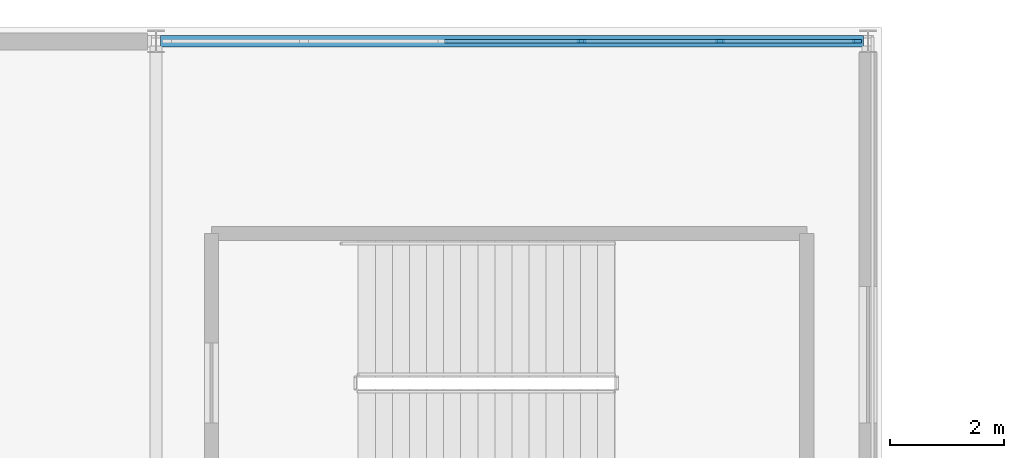
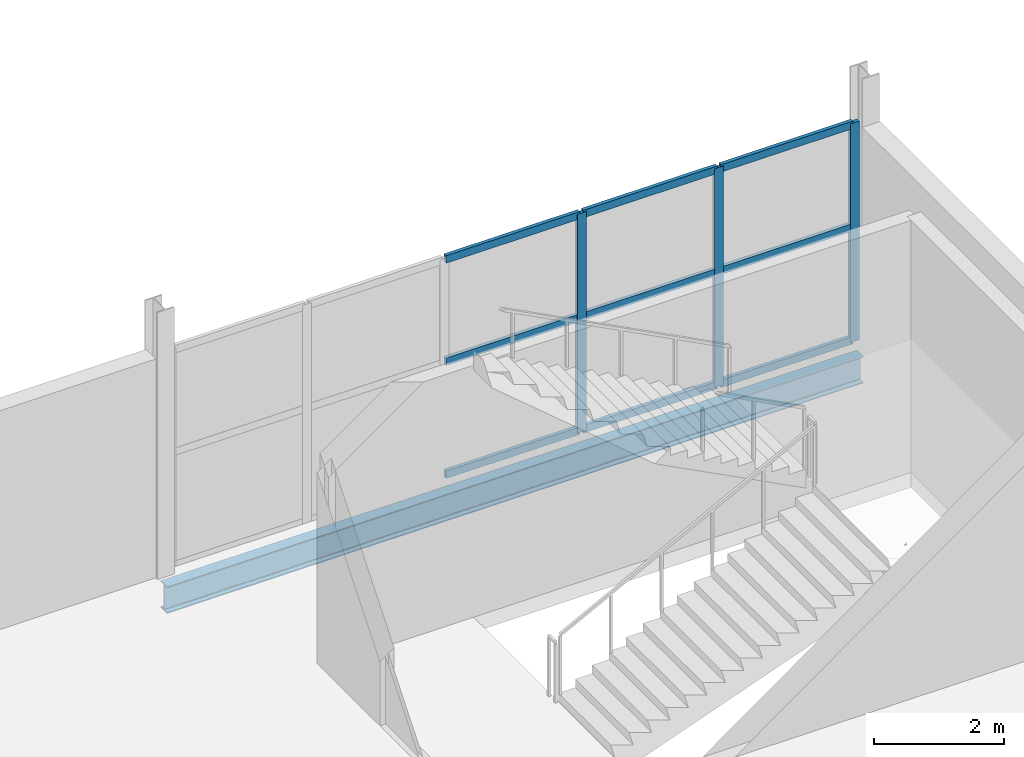
# One storey, part 89 of 179: 12 members, 1 beam, 1 element without a shape of its own.
"""IFC4 building model written with IfcOpenShell, lengths in metres."""

import ifcopenshell
import ifcopenshell.guid

model = None  # the IFC model being written
_history = None  # IfcOwnerHistory: only IFC2X3 demands one
_inside = {}  # id of a spatial element -> (the spatial element, [elements in it])
_under = {}  # id of a project, library or spatial element -> (it, [spatial elements below it])
_declared = {}  # id of a project -> (the project, [libraries it declares])
_typed = {}  # id of a type object -> (the type object, [elements of that type])
_made_of = {}  # id of a material, layer set ... -> (it, [elements and type objects made of it])


def new_model(schema):
    """Start an empty IFC model of exactly this schema.

    Asked for "IFC4X3", IfcOpenShell would pick the latest addendum, in which some entities
    have other attributes; the version numbers below select the first issue.
    IFC2X3 requires an IfcOwnerHistory on every rooted entity: one is made here for all.
    """
    global model, _history
    if schema == "IFC4X3":
        model = ifcopenshell.file(schema_version=(4, 3, 0, 0))
    else:
        model = ifcopenshell.file(schema=schema)
    _inside.clear()
    _under.clear()
    _declared.clear()
    _typed.clear()
    _made_of.clear()
    _history = None
    if model.schema == "IFC2X3":
        org = make("IfcOrganization", Name="unknown")
        user = make(
            "IfcPersonAndOrganization",
            ThePerson=make("IfcPerson", FamilyName="unknown"),
            TheOrganization=org,
        )
        app = make(
            "IfcApplication",
            ApplicationDeveloper=org,
            Version="unknown",
            ApplicationFullName="unknown",
            ApplicationIdentifier="unknown",
        )
        _history = make(
            "IfcOwnerHistory",
            OwningUser=user,
            OwningApplication=app,
            ChangeAction="ADDED",
            CreationDate=0,
        )
    return model


def make(cls, **values):
    """One entity of the class cls with the attributes given. An attribute that is None is left unset."""
    return model.create_entity(
        cls, **{name: value for name, value in values.items() if value is not None}
    )


def rooted(cls, **values):
    """An entity with a GlobalId (a new one), such as an element, a storey or a relation."""
    return make(cls, GlobalId=ifcopenshell.guid.new(), OwnerHistory=_history, **values)


def si_unit(unit_type, name, prefix=None):
    """IfcSIUnit, for example si_unit("LENGTHUNIT", "METRE", prefix="MILLI")."""
    return make("IfcSIUnit", UnitType=unit_type, Prefix=prefix, Name=name)


def assignment(units):
    """IfcUnitAssignment: the units of a project."""
    return None if units is None else make("IfcUnitAssignment", Units=units)


def point(xyz):
    """IfcCartesianPoint."""
    return None if xyz is None else make("IfcCartesianPoint", Coordinates=xyz)


def direction(xyz):
    """IfcDirection."""
    return None if xyz is None else make("IfcDirection", DirectionRatios=xyz)


def frame(location, z_axis=None, x_axis=None):
    """IfcAxis2Placement3D, a coordinate frame: its origin and axes. An axis left out is left unset."""
    return make(
        "IfcAxis2Placement3D",
        Location=point(location),
        Axis=direction(z_axis),
        RefDirection=direction(x_axis),
    )


def frame_2d(location, x_axis=None):
    """IfcAxis2Placement2D, a coordinate frame in the plane: its origin and x axis."""
    return make(
        "IfcAxis2Placement2D", Location=point(location), RefDirection=direction(x_axis)
    )


def origin():
    """The frame at (0, 0, 0) with its axes left unset."""
    return frame((0.0, 0.0, 0.0))


def origin_2d():
    """The frame at (0, 0) in the plane with its x axis left unset."""
    return frame_2d((0.0, 0.0))


def place(relative_to, where):
    """IfcLocalPlacement: puts the frame where relative to a parent placement (None: the world)."""
    return make(
        "IfcLocalPlacement", PlacementRelTo=relative_to, RelativePlacement=where
    )


def context(
    kind, dimensions, precision=None, world=None, true_north=None, identifier=None
):
    """IfcGeometricRepresentationContext, for example the 3D "Model" context."""
    return make(
        "IfcGeometricRepresentationContext",
        ContextIdentifier=identifier,
        ContextType=kind,
        CoordinateSpaceDimension=dimensions,
        Precision=precision,
        WorldCoordinateSystem=world,
        TrueNorth=true_north,
    )


def subcontext(parent, identifier, kind, view, scale=None):
    """IfcGeometricRepresentationSubContext, for example "Body" below "Model"."""
    return make(
        "IfcGeometricRepresentationSubContext",
        ContextIdentifier=identifier,
        ContextType=kind,
        ParentContext=parent,
        TargetScale=scale,
        TargetView=view,
    )


def project(units=None, contexts=None):
    """IfcProject with its units and contexts."""
    return rooted(
        "IfcProject",
        Name="project",
        RepresentationContexts=contexts,
        UnitsInContext=assignment(units),
    )


def spatial(cls, under=None, at=None, **own):
    """A site, building, storey or space (cls), placed at a placement, below another one or the project."""
    s = rooted(cls, ObjectPlacement=at, **own)
    if under is not None:
        _under.setdefault(under.id(), (under, []))[1].append(s)
    return s


def profile(cls, at=None, kind="AREA", **sizes):
    """A parametric profile (cls). Its sizes go by their IFC names, for example OverallWidth=200.0."""
    return make(cls, ProfileType=kind, Position=at, **sizes)


def rectangle(**sizes):
    """IfcRectangleProfileDef."""
    return profile("IfcRectangleProfileDef", **sizes)


def i_section(**sizes):
    """IfcIShapeProfileDef."""
    return profile("IfcIShapeProfileDef", **sizes)


def extrude(swept, where, along, depth):
    """IfcExtrudedAreaSolid: the profile swept, set in the frame where, extruded along a direction by depth."""
    return make(
        "IfcExtrudedAreaSolid",
        SweptArea=swept,
        Position=where,
        ExtrudedDirection=direction(along),
        Depth=depth,
    )


def shape(context_of_items, identifier, shape_type, items):
    """IfcShapeRepresentation: the items that make up one representation, for example the "Body"."""
    return make(
        "IfcShapeRepresentation",
        ContextOfItems=context_of_items,
        RepresentationIdentifier=identifier,
        RepresentationType=shape_type,
        Items=items,
    )


def material(Name=None, Category=None):
    """IfcMaterial."""
    return make("IfcMaterial", Name=Name, Category=Category)


def material_profile(
    of_material, cross_section, Name=None, Category=None, Priority=None
):
    """IfcMaterialProfile: a cross section and its material."""
    return make(
        "IfcMaterialProfile",
        Name=Name,
        Material=of_material,
        Profile=cross_section,
        Priority=Priority,
        Category=Category,
    )


def profile_set(profiles, Name=None, composite=None):
    """IfcMaterialProfileSet."""
    return make(
        "IfcMaterialProfileSet",
        Name=Name,
        MaterialProfiles=profiles,
        CompositeProfile=composite,
    )


def made_of(thing, what):
    """Note that an element or type object is made of a material, layer set ...; save() writes the relation."""
    if what is not None:
        _made_of.setdefault(what.id(), (what, []))[1].append(thing)
    return thing


def type_object(cls, material=None, **own):
    """A type object (cls), such as IfcWallType, which elements share."""
    return made_of(rooted(cls, **own), material)


def element(
    cls,
    number,
    at=None,
    inside=None,
    cuts=None,
    type_object=None,
    material=None,
    context=None,
    identifier="Body",
    shape_type=None,
    held_by="IfcProductDefinitionShape",
    body=None,
    shapes=None,
    **own,
):
    """One element of the class cls, such as IfcWall. Its Tag is "e" and its number.

    at: its placement. inside: the storey or other place that contains it. cuts: it is an
    opening in that element (IfcRelVoidsElement). A single representation is given by context,
    identifier, shape_type and body (its items); several are given by shapes. held_by: the class
    of the entity that holds the representations. save() writes the other relations.
    """
    e = rooted(cls, Tag="e%d" % number, ObjectPlacement=at, **own)
    if body is not None:
        shapes = [shape(context, identifier, shape_type, body)]
    if shapes is not None:
        e.Representation = make(held_by, Representations=shapes)
    if inside is not None:
        _inside.setdefault(inside.id(), (inside, []))[1].append(e)
    if cuts is not None:
        rooted(
            "IfcRelVoidsElement", RelatingBuildingElement=cuts, RelatedOpeningElement=e
        )
    if type_object is not None:
        _typed.setdefault(type_object.id(), (type_object, []))[1].append(e)
    return made_of(e, material)


def aggregate(whole, parts):
    """IfcRelAggregates: a whole, such as a stair, and the parts it consists of."""
    return rooted("IfcRelAggregates", RelatingObject=whole, RelatedObjects=parts)


def save(model, path):
    """Write the relations noted so far, then the file.

    IfcRelAggregates (storeys below a building ...), IfcRelContainedInSpatialStructure (elements
    in a storey), IfcRelDefinesByType, IfcRelAssociatesMaterial and IfcRelDeclares: one each for
    every whole, place, type object, material and project.
    """
    for whole, parts in _under.values():
        aggregate(whole, parts)
    for where, things in _inside.values():
        rooted(
            "IfcRelContainedInSpatialStructure",
            RelatedElements=things,
            RelatingStructure=where,
        )
    for kind, things in _typed.values():
        rooted("IfcRelDefinesByType", RelatedObjects=things, RelatingType=kind)
    for what, things in _made_of.values():
        rooted("IfcRelAssociatesMaterial", RelatedObjects=things, RelatingMaterial=what)
    for by, libraries in _declared.values():
        rooted("IfcRelDeclares", RelatingContext=by, RelatedDefinitions=libraries)
    model.write(path)


model = new_model("IFC4")

# Units and contexts
model_context = context("Model", 3, precision=1e-05, world=origin(), true_north=direction((0.0, 1.0)))
body_context = subcontext(model_context, "Body", "Model", "MODEL_VIEW")
ifc_project = project(units=[si_unit("LENGTHUNIT", "METRE"), si_unit("AREAUNIT", "SQUARE_METRE"), si_unit("VOLUMEUNIT", "CUBIC_METRE"), si_unit("PLANEANGLEUNIT", "RADIAN"), si_unit("MASSUNIT", "GRAM", prefix="KILO")], contexts=[model_context])

# Site, building, storey
site_placement = place(None, origin())
site = spatial("IfcSite", under=ifc_project, at=site_placement, CompositionType="ELEMENT")
building_placement = place(site_placement, origin())
building = spatial("IfcBuilding", under=site, at=building_placement, Name="Zlatoyarsky Gate Stadium", CompositionType="ELEMENT")
storey_placement = place(building_placement, frame((0.0, 0.0, 10.60009765625)))
storey = spatial("IfcBuildingStorey", under=building, at=storey_placement, Name="L02", CompositionType="ELEMENT", Elevation=10.60009765625)

# Curtain wall, members
ifc_material_1 = material(Name="Thermally broken anodised aluminium curtain wall", Category="aluminium")
curtain_wall_type = type_object("IfcCurtainWallType", Name="WINTER GARDEN CONSERVATORY GLAZING", PredefinedType="USERDEFINED", material=ifc_material_1)
curtain_wall_placement = place(storey_placement, origin())
curtain_wall = element("IfcCurtainWall", 1, at=curtain_wall_placement, inside=storey, type_object=curtain_wall_type, Name="Curtain wall CW-V2_NORTH-L02-152", ObjectType="UNITISED GLAZING", PredefinedType="USERDEFINED")
ifc_material_2 = material(Name="Anodised aluminium 6063-T6", Category="aluminium")
ifc_material_profile_1 = material_profile(ifc_material_2, rectangle(XDim=0.06494140625, YDim=0.159912109375, at=origin_2d()), Name="ALU 65X160")
ifc_profile_set_1 = profile_set([ifc_material_profile_1], Name="Anodised aluminium 6063-T6")
member_type_1 = type_object("IfcMemberType", Name="ALUMINIUM MULLION 65X160", PredefinedType="MULLION", material=ifc_profile_set_1)
member_1_placement = place(storey_placement, frame((154.967529296875, 160.0, 0.0), z_axis=(0.0, 0.0, 1.0), x_axis=(0.0, 1.0, 0.0)))
member_1 = element("IfcMember", 2, at=member_1_placement, type_object=member_type_1, Name="CW-WG1 mullion 4", PredefinedType="MULLION", context=body_context, shape_type="SweptSolid", body=[
    extrude(rectangle(XDim=0.06494140625, YDim=0.159912109375, at=origin_2d()), origin(), (0.0, 0.0, 1.0), 4.099853515625),
])
member_2_placement = place(storey_placement, frame((157.40283203125, 160.0, 0.0), z_axis=(0.0, 0.0, 1.0), x_axis=(0.0, 1.0, 0.0)))
member_2 = element("IfcMember", 3, at=member_2_placement, type_object=member_type_1, Name="CW-WG1 mullion 5", PredefinedType="MULLION", context=body_context, shape_type="SweptSolid", body=[
    extrude(rectangle(XDim=0.06494140625, YDim=0.159912109375, at=origin_2d()), origin(), (0.0, 0.0, 1.0), 4.099853515625),
])
member_3_placement = place(storey_placement, frame((159.805419921875, 160.0, 0.0), z_axis=(0.0, 0.0, 1.0), x_axis=(0.0, 1.0, 0.0)))
member_3 = element("IfcMember", 4, at=member_3_placement, type_object=member_type_1, Name="CW-WG1 mullion 6", PredefinedType="MULLION", context=body_context, shape_type="SweptSolid", body=[
    extrude(rectangle(XDim=0.06494140625, YDim=0.159912109375, at=origin_2d()), origin(), (0.0, 0.0, 1.0), 4.099853515625),
])
ifc_material_profile_2 = material_profile(ifc_material_2, rectangle(XDim=0.06494140625, YDim=0.139892578125, at=origin_2d()), Name="ALU 65X140")
ifc_profile_set_2 = profile_set([ifc_material_profile_2], Name="Anodised aluminium 6063-T6")
member_type_2 = type_object("IfcMemberType", Name="ALUMINIUM TRANSOM 65X140", PredefinedType="USERDEFINED", material=ifc_profile_set_2)
member_4_placement = place(storey_placement, frame((152.56494140625, 160.0, 0.032470703125), z_axis=(1.0, 0.0, 0.0), x_axis=(0.0, 1.0, 0.0)))
member_4 = element("IfcMember", 5, at=member_4_placement, type_object=member_type_2, Name="CW-WG1 transom 3.1", ObjectType="TRANSOM", PredefinedType="USERDEFINED", context=body_context, shape_type="SweptSolid", body=[
    extrude(rectangle(XDim=0.06494140625, YDim=0.139892578125, at=origin_2d()), origin(), (0.0, 0.0, 1.0), 2.3701171875),
])
member_5_placement = place(storey_placement, frame((152.56494140625, 160.0, 2.14990234375), z_axis=(1.0, 0.0, 0.0), x_axis=(0.0, 1.0, 0.0)))
member_5 = element("IfcMember", 6, at=member_5_placement, type_object=member_type_2, Name="CW-WG1 transom 3.2", ObjectType="TRANSOM", PredefinedType="USERDEFINED", context=body_context, shape_type="SweptSolid", body=[
    extrude(rectangle(XDim=0.06494140625, YDim=0.139892578125, at=origin_2d()), origin(), (0.0, 0.0, 1.0), 2.3701171875),
])
member_6_placement = place(storey_placement, frame((152.56494140625, 160.0, 4.0673828125), z_axis=(1.0, 0.0, 0.0), x_axis=(0.0, 1.0, 0.0)))
member_6 = element("IfcMember", 7, at=member_6_placement, type_object=member_type_2, Name="CW-WG1 transom 3.3", ObjectType="TRANSOM", PredefinedType="USERDEFINED", context=body_context, shape_type="SweptSolid", body=[
    extrude(rectangle(XDim=0.06494140625, YDim=0.139892578125, at=origin_2d()), origin(), (0.0, 0.0, 1.0), 2.3701171875),
])
member_7_placement = place(storey_placement, frame((155.0, 160.0, 0.032470703125), z_axis=(1.0, 0.0, 0.0), x_axis=(0.0, 1.0, 0.0)))
member_7 = element("IfcMember", 8, at=member_7_placement, type_object=member_type_2, Name="CW-WG1 transom 4.1", ObjectType="TRANSOM", PredefinedType="USERDEFINED", context=body_context, shape_type="SweptSolid", body=[
    extrude(rectangle(XDim=0.06494140625, YDim=0.139892578125, at=origin_2d()), origin(), (0.0, 0.0, 1.0), 2.370361328125),
])
member_8_placement = place(storey_placement, frame((155.0, 160.0, 2.14990234375), z_axis=(1.0, 0.0, 0.0), x_axis=(0.0, 1.0, 0.0)))
member_8 = element("IfcMember", 9, at=member_8_placement, type_object=member_type_2, Name="CW-WG1 transom 4.2", ObjectType="TRANSOM", PredefinedType="USERDEFINED", context=body_context, shape_type="SweptSolid", body=[
    extrude(rectangle(XDim=0.06494140625, YDim=0.139892578125, at=origin_2d()), origin(), (0.0, 0.0, 1.0), 2.370361328125),
])
member_9_placement = place(storey_placement, frame((155.0, 160.0, 4.0673828125), z_axis=(1.0, 0.0, 0.0), x_axis=(0.0, 1.0, 0.0)))
member_9 = element("IfcMember", 10, at=member_9_placement, type_object=member_type_2, Name="CW-WG1 transom 4.3", ObjectType="TRANSOM", PredefinedType="USERDEFINED", context=body_context, shape_type="SweptSolid", body=[
    extrude(rectangle(XDim=0.06494140625, YDim=0.139892578125, at=origin_2d()), origin(), (0.0, 0.0, 1.0), 2.370361328125),
])
member_10_placement = place(storey_placement, frame((157.435302734375, 160.0, 0.032470703125), z_axis=(1.0, 0.0, 0.0), x_axis=(0.0, 1.0, 0.0)))
member_10 = element("IfcMember", 11, at=member_10_placement, type_object=member_type_2, Name="CW-WG1 transom 5.1", ObjectType="TRANSOM", PredefinedType="USERDEFINED", context=body_context, shape_type="SweptSolid", body=[
    extrude(rectangle(XDim=0.06494140625, YDim=0.139892578125, at=origin_2d()), origin(), (0.0, 0.0, 1.0), 2.337646484375),
])
member_11_placement = place(storey_placement, frame((157.435302734375, 160.0, 2.14990234375), z_axis=(1.0, 0.0, 0.0), x_axis=(0.0, 1.0, 0.0)))
member_11 = element("IfcMember", 12, at=member_11_placement, type_object=member_type_2, Name="CW-WG1 transom 5.2", ObjectType="TRANSOM", PredefinedType="USERDEFINED", context=body_context, shape_type="SweptSolid", body=[
    extrude(rectangle(XDim=0.06494140625, YDim=0.139892578125, at=origin_2d()), origin(), (0.0, 0.0, 1.0), 2.337646484375),
])
member_12_placement = place(storey_placement, frame((157.435302734375, 160.0, 4.0673828125), z_axis=(1.0, 0.0, 0.0), x_axis=(0.0, 1.0, 0.0)))
member_12 = element("IfcMember", 13, at=member_12_placement, type_object=member_type_2, Name="CW-WG1 transom 5.3", ObjectType="TRANSOM", PredefinedType="USERDEFINED", context=body_context, shape_type="SweptSolid", body=[
    extrude(rectangle(XDim=0.06494140625, YDim=0.139892578125, at=origin_2d()), origin(), (0.0, 0.0, 1.0), 2.337646484375),
])
aggregate(curtain_wall, [member_1, member_2, member_3, member_4, member_5, member_6, member_7, member_8, member_9, member_10, member_11, member_12])

# Beam
ifc_material_3 = material(Name="Steel S355", Category="steel")
ifc_material_profile_3 = material_profile(ifc_material_3, i_section(OverallWidth=0.199951171875, OverallDepth=0.5, WebThickness=0.01025390625, FlangeThickness=0.01611328125, FilletRadius=0.02099609375, at=origin_2d()), Name="IPE 500")
ifc_profile_set_3 = profile_set([ifc_material_profile_3], Name="Steel S355")
beam_type = type_object("IfcBeamType", Name="STEEL FLOOR BEAM IPE 500", PredefinedType="BEAM", material=ifc_profile_set_3)
beam_placement = place(storey_placement, frame((147.580078125, 160.0, -0.530029296875), z_axis=(1.0, 0.0, 0.0), x_axis=(0.0, 1.0, 0.0)))
element("IfcBeam", 14, at=beam_placement, inside=storey, type_object=beam_type, Name="Beam B-IPE500 BM-L02-WGX-13-Q", PredefinedType="BEAM", context=body_context, shape_type="SweptSolid", body=[
    extrude(i_section(OverallWidth=0.199951171875, OverallDepth=0.5, WebThickness=0.01025390625, FlangeThickness=0.01611328125, FilletRadius=0.02099609375, at=origin_2d()), origin(), (0.0, 0.0, 1.0), 12.33984375),
])

save(model, "model.ifc")
